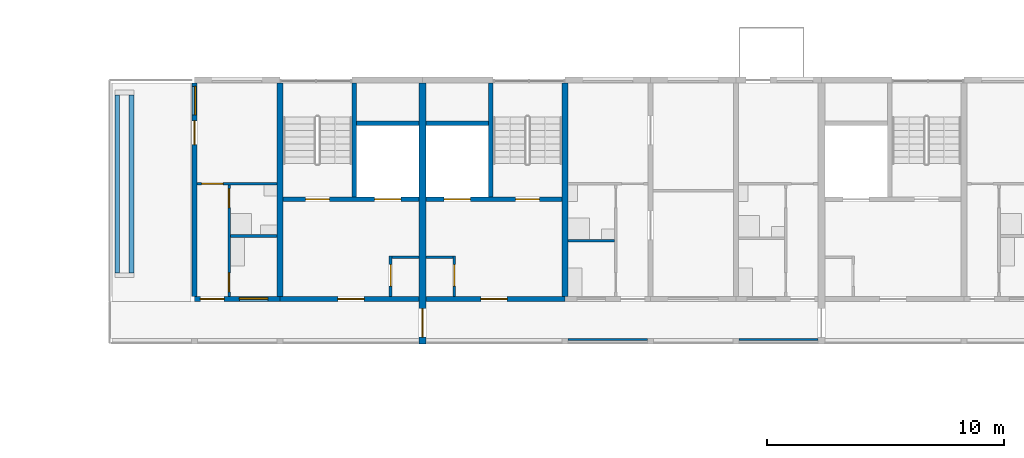
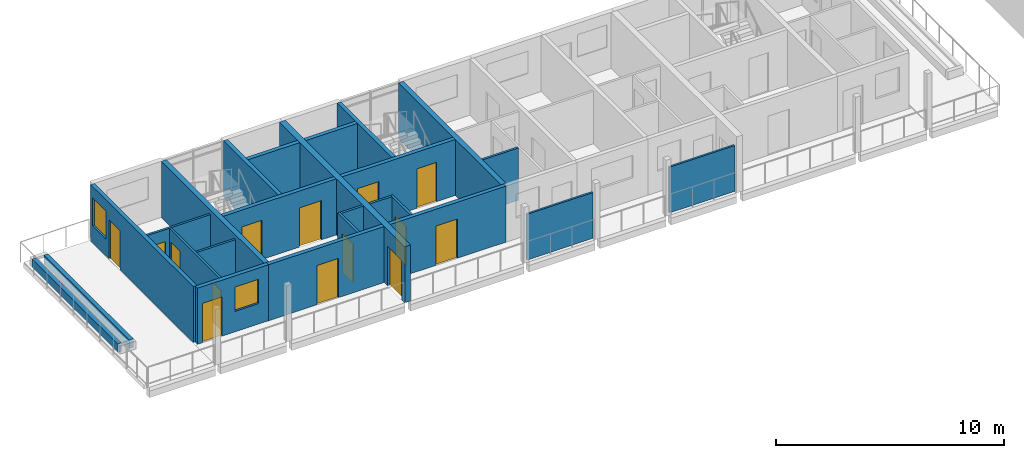
# One storey, part 34 of 94: 25 walls, 14 doors, 2 windows, 16 openings.
"""IFC4 building model written with IfcOpenShell, lengths in metres."""

from ifc_helpers import new_model, si_unit, direction, frame, frame_2d, origin, place, context, subcontext, project, spatial, rectangle, extrude, material, layer, layer_set, type_object, element, fill, save


model = new_model("IFC4")

# Units and contexts
model_context = context("Model", 3, precision=1e-05, world=origin(), true_north=direction((0.0, 1.0)))
body_context = subcontext(model_context, "Body", "Model", "MODEL_VIEW")
ifc_project = project(units=[si_unit("LENGTHUNIT", "METRE"), si_unit("AREAUNIT", "SQUARE_METRE"), si_unit("VOLUMEUNIT", "CUBIC_METRE"), si_unit("PLANEANGLEUNIT", "RADIAN"), si_unit("MASSUNIT", "GRAM", prefix="KILO")], contexts=[model_context])

# Site, building, storey
site_placement = place(None, origin())
site = spatial("IfcSite", under=ifc_project, at=site_placement, CompositionType="ELEMENT")
building_placement = place(site_placement, origin())
building = spatial("IfcBuilding", under=site, at=building_placement, Name="Ridgestep Commons", CompositionType="ELEMENT")
storey_placement = place(building_placement, frame((0.0, 0.0, 21.0)))
storey = spatial("IfcBuildingStorey", under=building, at=storey_placement, Name="L07", CompositionType="ELEMENT", Elevation=21.0)

# Walls
ifc_material_1 = material(Name="Concrete C30/37", Category="concrete")
ifc_layer_1 = layer(ifc_material_1, 0.25)
ifc_layer_set_1 = layer_set([ifc_layer_1], Name="Core cross wall 250")
wall_type_1 = type_object("IfcWallType", Name="Core cross wall 250", PredefinedType="SHEAR", material=ifc_layer_set_1)
for number, where, z_axis, x_axis, name in (
    (1, (22.800048828125, 68.0, 0.0), (0.0, 0.0, 1.0), (0.0, 1.0, 0.0), "Cross wall B-07-0228"),
    (2, (34.800048828125, 68.0, 0.0), (0.0, 0.0, 1.0), (0.0, 1.0, 0.0), "Cross wall B-07-0348"),
):
    element("IfcWall", number, at=place(storey_placement, frame(where, z_axis=z_axis, x_axis=x_axis)), inside=storey, type_object=wall_type_1, Name=name, PredefinedType="SHEAR", context=body_context, shape_type="SweptSolid", body=[
        extrude(rectangle(XDim=9.0, YDim=0.25, at=frame_2d((4.5, 0.0))), origin(), (0.0, 0.0, 1.0), 3.0),
    ])

# Wall, opening, door
ifc_material_2 = material(Name="Concrete C30/37", Category="concrete")
ifc_layer_2 = layer(ifc_material_2, 0.199951171875)
ifc_layer_set_2 = layer_set([ifc_layer_2], Name="Core south wall 200")
wall_type_2 = type_object("IfcWallType", Name="Core south wall 200", PredefinedType="SHEAR", material=ifc_layer_set_2)
wall_1_placement = place(storey_placement, frame((22.800048828125, 67.89990234375, 0.0), z_axis=(0.0, 0.0, 1.0), x_axis=(1.0, 0.0, 0.0)))
wall_1 = element("IfcWall", 3, at=wall_1_placement, inside=storey, type_object=wall_type_2, Name="Core south wall B1C L07", PredefinedType="SHEAR", context=body_context, shape_type="SweptSolid", body=[
    extrude(rectangle(XDim=5.849853515625, YDim=0.199951171875, at=frame_2d((2.9248046875, 0.0))), origin(), (0.0, 0.0, 1.0), 3.0),
])
opening_1_placement = place(wall_1_placement, frame((2.4375, 0.0, 0.0)))
opening_1 = element("IfcOpeningElement", 4, at=opening_1_placement, cuts=wall_1, Name="Opening B1C/07/1", PredefinedType="OPENING", context=body_context, shape_type="SweptSolid", body=[
    extrude(rectangle(XDim=1.10009765625, YDim=2.10009765625, at=frame_2d((0.550048828125, 1.050048828125))), frame((0.0, 0.10986328125, 0.0), z_axis=(0.0, -1.0, 0.0), x_axis=(1.0, 0.0, 0.0)), (0.0, 0.0, 1.0), 0.219970703125),
])
ifc_material_3 = material(Name="Steel fire door", Category="steel")
door_type_1 = type_object("IfcDoorType", Name="Lobby door 1100 x 2100 FD60", OperationType="NOTDEFINED", PredefinedType="DOOR", material=ifc_material_3)
door_1_placement = place(opening_1_placement, origin())
door_1 = element("IfcDoor", 5, at=door_1_placement, inside=storey, type_object=door_type_1, Name="Lobby door B1C/07/1", OperationType="SINGLE_SWING_LEFT", OverallHeight=2.10009765625, OverallWidth=1.10009765625, PredefinedType="DOOR", context=body_context, shape_type="SweptSolid", body=[
    extrude(rectangle(XDim=1.10009765625, YDim=2.10009765625, at=frame_2d((0.550048828125, 1.050048828125))), frame((0.0, 0.02490234375, 0.0), z_axis=(0.0, -1.0, 0.0), x_axis=(1.0, 0.0, 0.0)), (0.0, 0.0, 1.0), 0.050048828125),
])
fill(opening_1, door_1)

wall_2_placement = place(storey_placement, frame((28.949951171875, 67.89990234375, 0.0), z_axis=(0.0, 0.0, 1.0), x_axis=(1.0, 0.0, 0.0)))
wall_2 = element("IfcWall", 6, at=wall_2_placement, inside=storey, type_object=wall_type_2, Name="Core south wall B2C L07", PredefinedType="SHEAR", context=body_context, shape_type="SweptSolid", body=[
    extrude(rectangle(XDim=5.85009765625, YDim=0.199951171875, at=frame_2d((2.925048828125, 0.0))), origin(), (0.0, 0.0, 1.0), 3.0),
])
opening_2_placement = place(wall_2_placement, frame((2.3125, 0.0, 0.0)))
opening_2 = element("IfcOpeningElement", 7, at=opening_2_placement, cuts=wall_2, Name="Opening B2C/07/1", PredefinedType="OPENING", context=body_context, shape_type="SweptSolid", body=[
    extrude(rectangle(XDim=1.10009765625, YDim=2.10009765625, at=frame_2d((0.550048828125, 1.050048828125))), frame((0.0, 0.10986328125, 0.0), z_axis=(0.0, -1.0, 0.0), x_axis=(1.0, 0.0, 0.0)), (0.0, 0.0, 1.0), 0.219970703125),
])
door_2_placement = place(opening_2_placement, origin())
door_2 = element("IfcDoor", 8, at=door_2_placement, inside=storey, type_object=door_type_1, Name="Lobby door B2C/07/1", OperationType="SINGLE_SWING_LEFT", OverallHeight=2.10009765625, OverallWidth=1.10009765625, PredefinedType="DOOR", context=body_context, shape_type="SweptSolid", body=[
    extrude(rectangle(XDim=1.10009765625, YDim=2.10009765625, at=frame_2d((0.550048828125, 1.050048828125))), frame((0.0, 0.02490234375, 0.0), z_axis=(0.0, -1.0, 0.0), x_axis=(1.0, 0.0, 0.0)), (0.0, 0.0, 1.0), 0.050048828125),
])
fill(opening_2, door_2)

ifc_material_4 = material(Name="Concrete C30/37", Category="concrete")
ifc_layer_3 = layer(ifc_material_4, 0.1201171875)
ifc_layer_set_3 = layer_set([ifc_layer_3], Name="Core wall 120")
wall_type_3 = type_object("IfcWallType", Name="Core wall 120", PredefinedType="SHEAR", material=ifc_layer_set_3)
wall_3_placement = place(storey_placement, frame((27.4599609375, 68.0, 0.0), z_axis=(0.0, 0.0, 1.0), x_axis=(0.0, 1.0, 0.0)))
wall_3 = element("IfcWall", 9, at=wall_3_placement, inside=storey, type_object=wall_type_3, Name="Core riser w wall B1C L07", PredefinedType="SHEAR", context=body_context, shape_type="SweptSolid", body=[
    extrude(rectangle(XDim=1.719970703125, YDim=0.1201171875, at=frame_2d((0.85986328125, 0.0))), origin(), (0.0, 0.0, 1.0), 3.0),
])
opening_3_placement = place(wall_3_placement, frame((0.449951171875, 0.0, 0.0)))
opening_3 = element("IfcOpeningElement", 10, at=opening_3_placement, cuts=wall_3, Name="Opening B1C/07/4", PredefinedType="OPENING", context=body_context, shape_type="SweptSolid", body=[
    extrude(rectangle(XDim=0.89990234375, YDim=2.10009765625, at=frame_2d((0.449951171875, 1.050048828125))), frame((0.0, 0.070068359375, 0.0), z_axis=(0.0, -1.0, 0.0), x_axis=(1.0, 0.0, 0.0)), (0.0, 0.0, 1.0), 0.14013671875),
])
ifc_material_5 = material(Name="Steel fire door", Category="steel")
door_type_2 = type_object("IfcDoorType", Name="Riser door 900 x 2100 FD60", OperationType="NOTDEFINED", PredefinedType="DOOR", material=ifc_material_5)
door_3_placement = place(opening_3_placement, origin())
door_3 = element("IfcDoor", 11, at=door_3_placement, inside=storey, type_object=door_type_2, Name="Riser door B1C/07/4", OperationType="SINGLE_SWING_LEFT", OverallHeight=2.10009765625, OverallWidth=0.89990234375, PredefinedType="DOOR", context=body_context, shape_type="SweptSolid", body=[
    extrude(rectangle(XDim=0.89990234375, YDim=2.10009765625, at=frame_2d((0.449951171875, 1.050048828125))), frame((0.0, 0.02490234375, 0.0), z_axis=(0.0, -1.0, 0.0), x_axis=(1.0, 0.0, 0.0)), (0.0, 0.0, 1.0), 0.050048828125),
])
fill(opening_3, door_3)

# Wall
wall_4_placement = place(storey_placement, frame((27.52001953125, 69.659912109375, 0.0), z_axis=(0.0, 0.0, 1.0), x_axis=(1.0, 0.0, 0.0)))
element("IfcWall", 12, at=wall_4_placement, inside=storey, type_object=wall_type_3, Name="Core riser n wall B1C L07", PredefinedType="SHEAR", context=body_context, shape_type="SweptSolid", body=[
    extrude(rectangle(XDim=1.1298828125, YDim=0.1201171875, at=frame_2d((0.56494140625, 0.0))), origin(), (0.0, 0.0, 1.0), 3.0),
])

# Wall, opening, door
wall_5_placement = place(storey_placement, frame((30.139892578125, 68.0, 0.0), z_axis=(0.0, 0.0, 1.0), x_axis=(0.0, 1.0, 0.0)))
wall_5 = element("IfcWall", 13, at=wall_5_placement, inside=storey, type_object=wall_type_3, Name="Core riser w wall B2C L07", PredefinedType="SHEAR", context=body_context, shape_type="SweptSolid", body=[
    extrude(rectangle(XDim=1.719970703125, YDim=0.1201171875, at=frame_2d((0.85986328125, 0.0))), origin(), (0.0, 0.0, 1.0), 3.0),
])
opening_4_placement = place(wall_5_placement, frame((0.449951171875, 0.0, 0.0)))
opening_4 = element("IfcOpeningElement", 14, at=opening_4_placement, cuts=wall_5, Name="Opening B2C/07/4", PredefinedType="OPENING", context=body_context, shape_type="SweptSolid", body=[
    extrude(rectangle(XDim=0.89990234375, YDim=2.10009765625, at=frame_2d((0.449951171875, 1.050048828125))), frame((0.0, 0.070068359375, 0.0), z_axis=(0.0, -1.0, 0.0), x_axis=(1.0, 0.0, 0.0)), (0.0, 0.0, 1.0), 0.14013671875),
])
door_4_placement = place(opening_4_placement, origin())
door_4 = element("IfcDoor", 15, at=door_4_placement, inside=storey, type_object=door_type_2, Name="Riser door B2C/07/4", OperationType="SINGLE_SWING_RIGHT", OverallHeight=2.10009765625, OverallWidth=0.89990234375, PredefinedType="DOOR", context=body_context, shape_type="SweptSolid", body=[
    extrude(rectangle(XDim=0.89990234375, YDim=2.10009765625, at=frame_2d((0.449951171875, 1.050048828125))), frame((0.0, 0.02490234375, 0.0), z_axis=(0.0, -1.0, 0.0), x_axis=(1.0, 0.0, 0.0)), (0.0, 0.0, 1.0), 0.050048828125),
])
fill(opening_4, door_4)

# Wall
wall_6_placement = place(storey_placement, frame((28.949951171875, 69.659912109375, 0.0), z_axis=(0.0, 0.0, 1.0), x_axis=(1.0, 0.0, 0.0)))
element("IfcWall", 16, at=wall_6_placement, inside=storey, type_object=wall_type_3, Name="Core riser n wall B2C L07", PredefinedType="SHEAR", context=body_context, shape_type="SweptSolid", body=[
    extrude(rectangle(XDim=1.130126953125, YDim=0.1201171875, at=frame_2d((0.56494140625, 0.0))), origin(), (0.0, 0.0, 1.0), 3.0),
])

# Wall, openings, doors
ifc_material_6 = material(Name="Concrete C30/37", Category="concrete")
ifc_layer_4 = layer(ifc_material_6, 0.199951171875)
ifc_layer_set_4 = layer_set([ifc_layer_4], Name="Core wall 200")
wall_type_4 = type_object("IfcWallType", Name="Core wall 200", PredefinedType="SHEAR", material=ifc_layer_set_4)
wall_7_placement = place(storey_placement, frame((22.925048828125, 72.10009765625, 0.0), z_axis=(0.0, 0.0, 1.0), x_axis=(1.0, 0.0, 0.0)))
wall_7 = element("IfcWall", 17, at=wall_7_placement, inside=storey, type_object=wall_type_4, Name="Core lobby wall B1C L07", PredefinedType="SHEAR", context=body_context, shape_type="SweptSolid", body=[
    extrude(rectangle(XDim=5.724853515625, YDim=0.199951171875, at=frame_2d((2.8623046875, 0.0))), origin(), (0.0, 0.0, 1.0), 3.0),
])
opening_5_placement = place(wall_7_placement, frame((0.949951171875, 0.0, 0.0)))
opening_5 = element("IfcOpeningElement", 18, at=opening_5_placement, cuts=wall_7, Name="Opening B1C/07/2", PredefinedType="OPENING", context=body_context, shape_type="SweptSolid", body=[
    extrude(rectangle(XDim=1.0, YDim=2.10009765625, at=frame_2d((0.5, 1.050048828125))), frame((0.0, 0.10986328125, 0.0), z_axis=(0.0, -1.0, 0.0), x_axis=(1.0, 0.0, 0.0)), (0.0, 0.0, 1.0), 0.219970703125),
])
opening_6_placement = place(wall_7_placement, frame((3.862548828125, 0.0, 0.0)))
opening_6 = element("IfcOpeningElement", 19, at=opening_6_placement, cuts=wall_7, Name="Opening B1C/07/3", PredefinedType="OPENING", context=body_context, shape_type="SweptSolid", body=[
    extrude(rectangle(XDim=1.10009765625, YDim=2.10009765625, at=frame_2d((0.550048828125, 1.050048828125))), frame((0.0, 0.10986328125, 0.0), z_axis=(0.0, -1.0, 0.0), x_axis=(1.0, 0.0, 0.0)), (0.0, 0.0, 1.0), 0.219970703125),
])
ifc_material_7 = material(Name="Stainless steel", Category="steel")
door_type_3 = type_object("IfcDoorType", Name="Lift landing door 1100 x 2100 FD60", OperationType="DOUBLE_DOOR_SLIDING", PredefinedType="DOOR", material=ifc_material_7)
door_5_placement = place(opening_6_placement, origin())
door_5 = element("IfcDoor", 20, at=door_5_placement, inside=storey, type_object=door_type_3, Name="Landing door LD B1C L07", OperationType="DOUBLE_DOOR_SLIDING", OverallHeight=2.10009765625, OverallWidth=1.10009765625, PredefinedType="DOOR", context=body_context, shape_type="SweptSolid", body=[
    extrude(rectangle(XDim=1.10009765625, YDim=2.10009765625, at=frame_2d((0.550048828125, 1.050048828125))), frame((0.0, 0.02490234375, 0.0), z_axis=(0.0, -1.0, 0.0), x_axis=(1.0, 0.0, 0.0)), (0.0, 0.0, 1.0), 0.050048828125),
])
fill(opening_6, door_5)
ifc_material_8 = material(Name="Steel fire door", Category="steel")
door_type_4 = type_object("IfcDoorType", Name="Stair door 1000 x 2100 FD60", OperationType="NOTDEFINED", PredefinedType="DOOR", material=ifc_material_8)
door_6_placement = place(opening_5_placement, origin())
door_6 = element("IfcDoor", 21, at=door_6_placement, inside=storey, type_object=door_type_4, Name="Stair door B1C/07/2", OperationType="SINGLE_SWING_RIGHT", OverallHeight=2.10009765625, OverallWidth=1.0, PredefinedType="DOOR", context=body_context, shape_type="SweptSolid", body=[
    extrude(rectangle(XDim=1.0, YDim=2.10009765625, at=frame_2d((0.5, 1.050048828125))), frame((0.0, 0.02490234375, 0.0), z_axis=(0.0, -1.0, 0.0), x_axis=(1.0, 0.0, 0.0)), (0.0, 0.0, 1.0), 0.050048828125),
])
fill(opening_5, door_6)

# Walls
wall_8_placement = place(storey_placement, frame((25.925048828125, 72.199951171875, 0.0), z_axis=(0.0, 0.0, 1.0), x_axis=(0.0, 1.0, 0.0)))
element("IfcWall", 22, at=wall_8_placement, inside=storey, type_object=wall_type_4, Name="Core stair wall B1C L07", PredefinedType="SHEAR", context=body_context, shape_type="SweptSolid", body=[
    extrude(rectangle(XDim=4.800048828125, YDim=0.199951171875, at=frame_2d((2.39990234375, 0.0))), origin(), (0.0, 0.0, 1.0), 3.0),
])
wall_9_placement = place(storey_placement, frame((26.02490234375, 75.300048828125, 0.0), z_axis=(0.0, 0.0, 1.0), x_axis=(1.0, 0.0, 0.0)))
element("IfcWall", 23, at=wall_9_placement, inside=storey, type_object=wall_type_4, Name="Core duct wall B1C L07", PredefinedType="SHEAR", context=body_context, shape_type="SweptSolid", body=[
    extrude(rectangle(XDim=2.625, YDim=0.199951171875, at=frame_2d((1.3125, 0.0))), origin(), (0.0, 0.0, 1.0), 3.0),
])

# Wall, openings, doors
wall_10_placement = place(storey_placement, frame((28.949951171875, 72.10009765625, 0.0), z_axis=(0.0, 0.0, 1.0), x_axis=(1.0, 0.0, 0.0)))
wall_10 = element("IfcWall", 24, at=wall_10_placement, inside=storey, type_object=wall_type_4, Name="Core lobby wall B2C L07", PredefinedType="SHEAR", context=body_context, shape_type="SweptSolid", body=[
    extrude(rectangle(XDim=5.72509765625, YDim=0.199951171875, at=frame_2d((2.862548828125, 0.0))), origin(), (0.0, 0.0, 1.0), 3.0),
])
opening_7_placement = place(wall_10_placement, frame((3.77490234375, 0.0, 0.0)))
opening_7 = element("IfcOpeningElement", 25, at=opening_7_placement, cuts=wall_10, Name="Opening B2C/07/2", PredefinedType="OPENING", context=body_context, shape_type="SweptSolid", body=[
    extrude(rectangle(XDim=1.0, YDim=2.10009765625, at=frame_2d((0.5, 1.050048828125))), frame((0.0, 0.10986328125, 0.0), z_axis=(0.0, -1.0, 0.0), x_axis=(1.0, 0.0, 0.0)), (0.0, 0.0, 1.0), 0.219970703125),
])
opening_8_placement = place(wall_10_placement, frame((0.762451171875, 0.0, 0.0)))
opening_8 = element("IfcOpeningElement", 26, at=opening_8_placement, cuts=wall_10, Name="Opening B2C/07/3", PredefinedType="OPENING", context=body_context, shape_type="SweptSolid", body=[
    extrude(rectangle(XDim=1.10009765625, YDim=2.10009765625, at=frame_2d((0.550048828125, 1.050048828125))), frame((0.0, 0.10986328125, 0.0), z_axis=(0.0, -1.0, 0.0), x_axis=(1.0, 0.0, 0.0)), (0.0, 0.0, 1.0), 0.219970703125),
])
door_7_placement = place(opening_8_placement, origin())
door_7 = element("IfcDoor", 27, at=door_7_placement, inside=storey, type_object=door_type_3, Name="Landing door LD B2C L07", OperationType="DOUBLE_DOOR_SLIDING", OverallHeight=2.10009765625, OverallWidth=1.10009765625, PredefinedType="DOOR", context=body_context, shape_type="SweptSolid", body=[
    extrude(rectangle(XDim=1.10009765625, YDim=2.10009765625, at=frame_2d((0.550048828125, 1.050048828125))), frame((0.0, 0.02490234375, 0.0), z_axis=(0.0, -1.0, 0.0), x_axis=(1.0, 0.0, 0.0)), (0.0, 0.0, 1.0), 0.050048828125),
])
fill(opening_8, door_7)
door_8_placement = place(opening_7_placement, origin())
door_8 = element("IfcDoor", 28, at=door_8_placement, inside=storey, type_object=door_type_4, Name="Stair door B2C/07/2", OperationType="SINGLE_SWING_RIGHT", OverallHeight=2.10009765625, OverallWidth=1.0, PredefinedType="DOOR", context=body_context, shape_type="SweptSolid", body=[
    extrude(rectangle(XDim=1.0, YDim=2.10009765625, at=frame_2d((0.5, 1.050048828125))), frame((0.0, 0.02490234375, 0.0), z_axis=(0.0, -1.0, 0.0), x_axis=(1.0, 0.0, 0.0)), (0.0, 0.0, 1.0), 0.050048828125),
])
fill(opening_7, door_8)

# Walls
wall_11_placement = place(storey_placement, frame((31.675048828125, 72.199951171875, 0.0), z_axis=(0.0, 0.0, 1.0), x_axis=(0.0, 1.0, 0.0)))
element("IfcWall", 29, at=wall_11_placement, inside=storey, type_object=wall_type_4, Name="Core stair wall B2C L07", PredefinedType="SHEAR", context=body_context, shape_type="SweptSolid", body=[
    extrude(rectangle(XDim=4.800048828125, YDim=0.199951171875, at=frame_2d((2.39990234375, 0.0))), origin(), (0.0, 0.0, 1.0), 3.0),
])
wall_12_placement = place(storey_placement, frame((28.949951171875, 75.300048828125, 0.0), z_axis=(0.0, 0.0, 1.0), x_axis=(1.0, 0.0, 0.0)))
element("IfcWall", 30, at=wall_12_placement, inside=storey, type_object=wall_type_4, Name="Core duct wall B2C L07", PredefinedType="SHEAR", context=body_context, shape_type="SweptSolid", body=[
    extrude(rectangle(XDim=2.625, YDim=0.199951171875, at=frame_2d((1.3125, 0.0))), origin(), (0.0, 0.0, 1.0), 3.0),
])

# Wall, opening, door
ifc_material_9 = material(Name="Precast concrete C40/50", Category="concrete")
ifc_layer_5 = layer(ifc_material_9, 0.300048828125)
ifc_layer_set_5 = layer_set([ifc_layer_5], Name="Division wall 300")
wall_type_5 = type_object("IfcWallType", Name="Division wall 300", PredefinedType="SHEAR", material=ifc_layer_set_5)
wall_13_placement = place(storey_placement, frame((28.800048828125, 66.0, 0.0), z_axis=(0.0, 0.0, 1.0), x_axis=(0.0, 1.0, 0.0)))
wall_13 = element("IfcWall", 31, at=wall_13_placement, inside=storey, type_object=wall_type_5, Name="Cross wall B-07-0288", PredefinedType="SHEAR", context=body_context, shape_type="SweptSolid", body=[
    extrude(rectangle(XDim=11.0, YDim=0.300048828125, at=frame_2d((5.5, 0.0))), origin(), (0.0, 0.0, 1.0), 3.0),
])
opening_9_placement = place(wall_13_placement, frame((0.300048828125, 0.0, 0.0)))
opening_9 = element("IfcOpeningElement", 32, at=opening_9_placement, cuts=wall_13, Name="Opening B/07/G0288", PredefinedType="OPENING", context=body_context, shape_type="SweptSolid", body=[
    extrude(rectangle(XDim=1.199951171875, YDim=2.10009765625, at=frame_2d((0.60009765625, 1.050048828125))), frame((0.0, 0.159912109375, 0.0), z_axis=(0.0, -1.0, 0.0), x_axis=(1.0, 0.0, 0.0)), (0.0, 0.0, 1.0), 0.320068359375),
])
ifc_material_10 = material(Name="Steel fire door", Category="steel")
door_type_5 = type_object("IfcDoorType", Name="Division fire door 1200 x 2100 EI 240", OperationType="DOUBLE_DOOR_SINGLE_SWING", PredefinedType="DOOR", material=ifc_material_10)
door_9_placement = place(opening_9_placement, origin())
door_9 = element("IfcDoor", 33, at=door_9_placement, inside=storey, type_object=door_type_5, Name="Division fire door B/07/G0288", OperationType="DOUBLE_DOOR_SINGLE_SWING", OverallHeight=2.10009765625, OverallWidth=1.199951171875, PredefinedType="DOOR", context=body_context, shape_type="SweptSolid", body=[
    extrude(rectangle(XDim=1.199951171875, YDim=2.10009765625, at=frame_2d((0.60009765625, 1.050048828125))), frame((0.0, 0.02490234375, 0.0), z_axis=(0.0, -1.0, 0.0), x_axis=(1.0, 0.0, 0.0)), (0.0, 0.0, 1.0), 0.050048828125),
])
fill(opening_9, door_9)

# Wall, openings, window, door
ifc_material_11 = material(Name="Precast concrete C40/50", Category="concrete")
ifc_layer_6 = layer(ifc_material_11, 0.199951171875)
ifc_layer_set_6 = layer_set([ifc_layer_6], Name="Exposed cross wall 200")
wall_type_6 = type_object("IfcWallType", Name="Exposed cross wall 200", PredefinedType="SHEAR", material=ifc_layer_set_6)
wall_14_placement = place(storey_placement, frame((19.199951171875, 68.0, 0.0), z_axis=(0.0, 0.0, 1.0), x_axis=(0.0, 1.0, 0.0)))
wall_14 = element("IfcWall", 34, at=wall_14_placement, inside=storey, type_object=wall_type_6, Name="Cross wall B-07-0192", PredefinedType="SHEAR", context=body_context, shape_type="SweptSolid", body=[
    extrude(rectangle(XDim=9.0, YDim=0.199951171875, at=frame_2d((4.5, 0.0))), origin(), (0.0, 0.0, 1.0), 3.0),
])
opening_10_placement = place(wall_14_placement, frame((7.652587890625, 0.0, 0.89990234375)))
opening_10 = element("IfcOpeningElement", 35, at=opening_10_placement, cuts=wall_14, Name="Opening W10", PredefinedType="OPENING", context=body_context, shape_type="SweptSolid", body=[
    extrude(rectangle(XDim=1.199951171875, YDim=1.5, at=frame_2d((0.60009765625, 0.75))), frame((0.0, 0.10986328125, 0.0), z_axis=(0.0, -1.0, 0.0), x_axis=(1.0, 0.0, 0.0)), (0.0, 0.0, 1.0), 0.219970703125),
])
opening_11_placement = place(wall_14_placement, frame((6.405029296875, 0.0, 0.0)))
opening_11 = element("IfcOpeningElement", 36, at=opening_11_placement, cuts=wall_14, Name="Opening B1-07a/5", PredefinedType="OPENING", context=body_context, shape_type="SweptSolid", body=[
    extrude(rectangle(XDim=1.0, YDim=2.10009765625, at=frame_2d((0.5, 1.050048828125))), frame((0.0, 0.10986328125, 0.0), z_axis=(0.0, -1.0, 0.0), x_axis=(1.0, 0.0, 0.0)), (0.0, 0.0, 1.0), 0.219970703125),
])
ifc_material_12 = material(Name="Aluminium 6063-T6 and glass", Category="aluminium")
window_type_1 = type_object("IfcWindowType", Name="Flat window 1200 x 1500", PartitioningType="SINGLE_PANEL", PredefinedType="WINDOW", material=ifc_material_12)
window_1_placement = place(opening_10_placement, origin())
window_1 = element("IfcWindow", 37, at=window_1_placement, inside=storey, type_object=window_type_1, Name="Window B1-07a 3", OverallHeight=1.5, OverallWidth=1.199951171875, PartitioningType="SINGLE_PANEL", PredefinedType="WINDOW", context=body_context, shape_type="SweptSolid", body=[
    extrude(rectangle(XDim=1.199951171875, YDim=1.5, at=frame_2d((0.60009765625, 0.75))), frame((0.0, 0.0, 0.0), z_axis=(0.0, -1.0, 0.0), x_axis=(1.0, 0.0, 0.0)), (0.0, 0.0, 1.0), 0.06005859375),
])
fill(opening_10, window_1)
ifc_material_13 = material(Name="Aluminium and glass", Category="aluminium")
door_type_6 = type_object("IfcDoorType", Name="Terrace door 1000 x 2100", OperationType="NOTDEFINED", PredefinedType="DOOR", material=ifc_material_13)
door_10_placement = place(opening_11_placement, origin())
door_10 = element("IfcDoor", 38, at=door_10_placement, inside=storey, type_object=door_type_6, Name="Terrace door B1-07a/5", OperationType="SINGLE_SWING_RIGHT", OverallHeight=2.10009765625, OverallWidth=1.0, PredefinedType="DOOR", context=body_context, shape_type="SweptSolid", body=[
    extrude(rectangle(XDim=1.0, YDim=2.10009765625, at=frame_2d((0.5, 1.050048828125))), frame((0.0, 0.02490234375, 0.0), z_axis=(0.0, -1.0, 0.0), x_axis=(1.0, 0.0, 0.0)), (0.0, 0.0, 1.0), 0.050048828125),
])
fill(opening_11, door_10)

# Wall, openings, doors
ifc_material_14 = material(Name="Common brick 110 mm", Category="masonry")
ifc_layer_7 = layer(ifc_material_14, 0.110107421875)
ifc_layer_set_7 = layer_set([ifc_layer_7], Name="Partition 110")
wall_type_7 = type_object("IfcWallType", Name="Partition 110", PredefinedType="PARTITIONING", material=ifc_layer_set_7)
wall_15_placement = place(storey_placement, frame((20.655029296875, 68.0, 0.0), z_axis=(0.0, 0.0, 1.0), x_axis=(0.0, 1.0, 0.0)))
wall_15 = element("IfcWall", 39, at=wall_15_placement, inside=storey, type_object=wall_type_7, Name="Partition B1-07a", PredefinedType="PARTITIONING", context=body_context, shape_type="SweptSolid", body=[
    extrude(rectangle(XDim=4.699951171875, YDim=0.110107421875, at=frame_2d((2.35009765625, 0.0))), origin(), (0.0, 0.0, 1.0), 2.75),
])
opening_12_placement = place(wall_15_placement, frame((0.199951171875, 0.0, 0.0)))
opening_12 = element("IfcOpeningElement", 40, at=opening_12_placement, cuts=wall_15, Name="Opening B1-07a/2", PredefinedType="OPENING", context=body_context, shape_type="SweptSolid", body=[
    extrude(rectangle(XDim=0.800048828125, YDim=2.10009765625, at=frame_2d((0.39990234375, 1.050048828125))), frame((0.0, 0.06494140625, 0.0), z_axis=(0.0, -1.0, 0.0), x_axis=(1.0, 0.0, 0.0)), (0.0, 0.0, 1.0), 0.130126953125),
])
opening_13_placement = place(wall_15_placement, frame((3.75, 0.0, 0.0)))
opening_13 = element("IfcOpeningElement", 41, at=opening_13_placement, cuts=wall_15, Name="Opening B1-07a/3", PredefinedType="OPENING", context=body_context, shape_type="SweptSolid", body=[
    extrude(rectangle(XDim=0.800048828125, YDim=2.10009765625, at=frame_2d((0.39990234375, 1.050048828125))), frame((0.0, 0.06494140625, 0.0), z_axis=(0.0, -1.0, 0.0), x_axis=(1.0, 0.0, 0.0)), (0.0, 0.0, 1.0), 0.130126953125),
])
ifc_material_15 = material(Name="Timber door leaf", Category="wood")
door_type_7 = type_object("IfcDoorType", Name="Internal door 800 x 2100", OperationType="NOTDEFINED", PredefinedType="DOOR", material=ifc_material_15)
door_11_placement = place(opening_12_placement, origin())
door_11 = element("IfcDoor", 42, at=door_11_placement, inside=storey, type_object=door_type_7, Name="Internal door B1-07a/2", OperationType="SINGLE_SWING_RIGHT", OverallHeight=2.10009765625, OverallWidth=0.800048828125, PredefinedType="DOOR", context=body_context, shape_type="SweptSolid", body=[
    extrude(rectangle(XDim=0.800048828125, YDim=2.10009765625, at=frame_2d((0.39990234375, 1.050048828125))), frame((0.0, 0.02490234375, 0.0), z_axis=(0.0, -1.0, 0.0), x_axis=(1.0, 0.0, 0.0)), (0.0, 0.0, 1.0), 0.050048828125),
])
fill(opening_12, door_11)
door_12_placement = place(opening_13_placement, origin())
door_12 = element("IfcDoor", 43, at=door_12_placement, inside=storey, type_object=door_type_7, Name="Internal door B1-07a/3", OperationType="SINGLE_SWING_LEFT", OverallHeight=2.10009765625, OverallWidth=0.800048828125, PredefinedType="DOOR", context=body_context, shape_type="SweptSolid", body=[
    extrude(rectangle(XDim=0.800048828125, YDim=2.10009765625, at=frame_2d((0.39990234375, 1.050048828125))), frame((0.0, 0.02490234375, 0.0), z_axis=(0.0, -1.0, 0.0), x_axis=(1.0, 0.0, 0.0)), (0.0, 0.0, 1.0), 0.050048828125),
])
fill(opening_13, door_12)

# Wall
wall_16_placement = place(storey_placement, frame((20.7099609375, 70.554931640625, 0.0), z_axis=(0.0, 0.0, 1.0), x_axis=(1.0, 0.0, 0.0)))
element("IfcWall", 44, at=wall_16_placement, inside=storey, type_object=wall_type_7, Name="Partition B1-07a", PredefinedType="PARTITIONING", context=body_context, shape_type="SweptSolid", body=[
    extrude(rectangle(XDim=1.965087890625, YDim=0.110107421875, at=frame_2d((0.982421875, 0.0))), origin(), (0.0, 0.0, 1.0), 2.75),
])

# Wall, opening, door
wall_17_placement = place(storey_placement, frame((19.300048828125, 72.7548828125, 0.0), z_axis=(0.0, 0.0, 1.0), x_axis=(1.0, 0.0, 0.0)))
wall_17 = element("IfcWall", 45, at=wall_17_placement, inside=storey, type_object=wall_type_7, Name="Partition B1-07a", PredefinedType="PARTITIONING", context=body_context, shape_type="SweptSolid", body=[
    extrude(rectangle(XDim=3.375, YDim=0.110107421875, at=frame_2d((1.6875, 0.0))), origin(), (0.0, 0.0, 1.0), 2.75),
])
opening_14_placement = place(wall_17_placement, frame((0.199951171875, 0.0, 0.0)))
opening_14 = element("IfcOpeningElement", 46, at=opening_14_placement, cuts=wall_17, Name="Opening B1-07a/4", PredefinedType="OPENING", context=body_context, shape_type="SweptSolid", body=[
    extrude(rectangle(XDim=0.89990234375, YDim=2.10009765625, at=frame_2d((0.449951171875, 1.050048828125))), frame((0.0, 0.06494140625, 0.0), z_axis=(0.0, -1.0, 0.0), x_axis=(1.0, 0.0, 0.0)), (0.0, 0.0, 1.0), 0.130126953125),
])
ifc_material_16 = material(Name="Timber door leaf", Category="wood")
door_type_8 = type_object("IfcDoorType", Name="Internal door 900 x 2100", OperationType="NOTDEFINED", PredefinedType="DOOR", material=ifc_material_16)
door_13_placement = place(opening_14_placement, origin())
door_13 = element("IfcDoor", 47, at=door_13_placement, inside=storey, type_object=door_type_8, Name="Internal door B1-07a/4", OperationType="SINGLE_SWING_RIGHT", OverallHeight=2.10009765625, OverallWidth=0.89990234375, PredefinedType="DOOR", context=body_context, shape_type="SweptSolid", body=[
    extrude(rectangle(XDim=0.89990234375, YDim=2.10009765625, at=frame_2d((0.449951171875, 1.050048828125))), frame((0.0, 0.02490234375, 0.0), z_axis=(0.0, -1.0, 0.0), x_axis=(1.0, 0.0, 0.0)), (0.0, 0.0, 1.0), 0.050048828125),
])
fill(opening_14, door_13)

# Walls
wall_18_placement = place(storey_placement, frame((34.925048828125, 70.35498046875, 0.0), z_axis=(0.0, 0.0, 1.0), x_axis=(1.0, 0.0, 0.0)))
element("IfcWall", 48, at=wall_18_placement, inside=storey, type_object=wall_type_7, Name="Partition B2-07b", PredefinedType="PARTITIONING", context=body_context, shape_type="SweptSolid", body=[
    extrude(rectangle(XDim=1.96484375, YDim=0.110107421875, at=frame_2d((0.982421875, 0.0))), origin(), (0.0, 0.0, 1.0), 2.800048828125),
])
ifc_material_17 = material(Name="Precast concrete C30/37", Category="concrete")
ifc_layer_8 = layer(ifc_material_17, 0.10009765625)
ifc_layer_set_8 = layer_set([ifc_layer_8], Name="Perforated gallery screen 3325 x 2450 x 100")
wall_type_8 = type_object("IfcWallType", Name="Perforated gallery screen 3325 x 2450 x 100", PredefinedType="SOLIDWALL", material=ifc_layer_set_8)
wall_19_placement = place(storey_placement, frame((42.125, 66.199951171875, 0.0), z_axis=(0.0, 0.0, 1.0), x_axis=(1.0, 0.0, 0.0)))
element("IfcWall", 49, at=wall_19_placement, inside=storey, type_object=wall_type_8, Name="Gallery screen B2T1 07", PredefinedType="SOLIDWALL", context=body_context, shape_type="SweptSolid", body=[
    extrude(rectangle(XDim=3.324951171875, YDim=0.10009765625, at=frame_2d((1.66259765625, 0.0))), origin(), (0.0, 0.0, 1.0), 2.449951171875),
])
ifc_material_18 = material(Name="Precast concrete C30/37", Category="concrete")
ifc_layer_9 = layer(ifc_material_18, 0.10009765625)
ifc_layer_set_9 = layer_set([ifc_layer_9], Name="Perforated gallery screen 3350 x 2450 x 100")
wall_type_9 = type_object("IfcWallType", Name="Perforated gallery screen 3350 x 2450 x 100", PredefinedType="SOLIDWALL", material=ifc_layer_set_9)
wall_20_placement = place(storey_placement, frame((34.925048828125, 66.199951171875, 0.0), z_axis=(0.0, 0.0, 1.0), x_axis=(1.0, 0.0, 0.0)))
element("IfcWall", 50, at=wall_20_placement, inside=storey, type_object=wall_type_9, Name="Gallery screen B2T3 07", PredefinedType="SOLIDWALL", context=body_context, shape_type="SweptSolid", body=[
    extrude(rectangle(XDim=3.349853515625, YDim=0.10009765625, at=frame_2d((1.6748046875, 0.0))), origin(), (0.0, 0.0, 1.0), 2.449951171875),
])
ifc_material_19 = material(Name="Facing brick", Category="masonry")
ifc_layer_10 = layer(ifc_material_19, 0.199951171875)
ifc_layer_set_10 = layer_set([ifc_layer_10], Name="Planter wall 200")
wall_type_10 = type_object("IfcWallType", Name="Planter wall 200", PredefinedType="SOLIDWALL", material=ifc_layer_set_10)
for number, where, z_axis, x_axis, name in (
    (51, (15.949951171875, 69.0, 0.010009765625), (0.0, 0.0, 1.0), (0.0, 1.0, 0.0), "Planter wall B1R2W"),
    (52, (16.550048828125, 69.0, 0.010009765625), (0.0, 0.0, 1.0), (0.0, 1.0, 0.0), "Planter wall B1R2E"),
):
    element("IfcWall", number, at=place(storey_placement, frame(where, z_axis=z_axis, x_axis=x_axis)), inside=storey, type_object=wall_type_10, Name=name, PredefinedType="SOLIDWALL", context=body_context, shape_type="SweptSolid", body=[
        extrude(rectangle(XDim=7.5, YDim=0.199951171875, at=frame_2d((3.75, 0.0))), origin(), (0.0, 0.0, 1.0), 0.449951171875),
    ])

# Wall, openings, door, window
ifc_material_20 = material(Name="Precast concrete C40/50", Category="concrete")
ifc_layer_11 = layer(ifc_material_20, 0.199951171875)
ifc_layer_set_11 = layer_set([ifc_layer_11], Name="South facade panel 200")
wall_type_11 = type_object("IfcWallType", Name="South facade panel 200", PredefinedType="SOLIDWALL", material=ifc_layer_set_11)
wall_21_placement = place(storey_placement, frame((19.199951171875, 67.89990234375, 0.0), z_axis=(0.0, 0.0, 1.0), x_axis=(1.0, 0.0, 0.0)))
wall_21 = element("IfcWall", 53, at=wall_21_placement, inside=storey, type_object=wall_type_11, Name="South panel B1T3 L07", PredefinedType="SOLIDWALL", context=body_context, shape_type="SweptSolid", body=[
    extrude(rectangle(XDim=3.60009765625, YDim=0.199951171875, at=frame_2d((1.800048828125, 0.0))), origin(), (0.0, 0.0, 1.0), 3.0),
])
opening_15_placement = place(wall_21_placement, frame((1.892578125, 0.0, 1.10009765625)))
opening_15 = element("IfcOpeningElement", 54, at=opening_15_placement, cuts=wall_21, Name="Opening W08", PredefinedType="OPENING", context=body_context, shape_type="SweptSolid", body=[
    extrude(rectangle(XDim=1.199951171875, YDim=1.300048828125, at=frame_2d((0.60009765625, 0.64990234375))), frame((0.0, 0.10986328125, 0.0), z_axis=(0.0, -1.0, 0.0), x_axis=(1.0, 0.0, 0.0)), (0.0, 0.0, 1.0), 0.219970703125),
])
opening_16_placement = place(wall_21_placement, frame((0.25, 0.0, 0.0)))
opening_16 = element("IfcOpeningElement", 55, at=opening_16_placement, cuts=wall_21, Name="Opening B1-07a/1", PredefinedType="OPENING", context=body_context, shape_type="SweptSolid", body=[
    extrude(rectangle(XDim=1.0, YDim=2.10009765625, at=frame_2d((0.5, 1.050048828125))), frame((0.0, 0.10986328125, 0.0), z_axis=(0.0, -1.0, 0.0), x_axis=(1.0, 0.0, 0.0)), (0.0, 0.0, 1.0), 0.219970703125),
])
ifc_material_21 = material(Name="Timber door leaf", Category="wood")
door_type_9 = type_object("IfcDoorType", Name="Flat entrance door 1000 x 2100 FD30S", OperationType="NOTDEFINED", PredefinedType="DOOR", material=ifc_material_21)
door_14_placement = place(opening_16_placement, origin())
door_14 = element("IfcDoor", 56, at=door_14_placement, inside=storey, type_object=door_type_9, Name="Flat entrance door B1-07a/1", OperationType="SINGLE_SWING_LEFT", OverallHeight=2.10009765625, OverallWidth=1.0, PredefinedType="DOOR", context=body_context, shape_type="SweptSolid", body=[
    extrude(rectangle(XDim=1.0, YDim=2.10009765625, at=frame_2d((0.5, 1.050048828125))), frame((0.0, 0.02490234375, 0.0), z_axis=(0.0, -1.0, 0.0), x_axis=(1.0, 0.0, 0.0)), (0.0, 0.0, 1.0), 0.050048828125),
])
fill(opening_16, door_14)
ifc_material_22 = material(Name="Aluminium 6063-T6 and glass", Category="aluminium")
window_type_2 = type_object("IfcWindowType", Name="Flat window 1200 x 1300", PartitioningType="SINGLE_PANEL", PredefinedType="WINDOW", material=ifc_material_22)
window_2_placement = place(opening_15_placement, origin())
window_2 = element("IfcWindow", 57, at=window_2_placement, inside=storey, type_object=window_type_2, Name="Window B1-07a 1", OverallHeight=1.300048828125, OverallWidth=1.199951171875, PartitioningType="SINGLE_PANEL", PredefinedType="WINDOW", context=body_context, shape_type="SweptSolid", body=[
    extrude(rectangle(XDim=1.199951171875, YDim=1.300048828125, at=frame_2d((0.60009765625, 0.64990234375))), frame((0.0, 0.06005859375, 0.0), z_axis=(0.0, -1.0, 0.0), x_axis=(1.0, 0.0, 0.0)), (0.0, 0.0, 1.0), 0.06005859375),
])
fill(opening_15, window_2)

save(model, "model.ifc")
